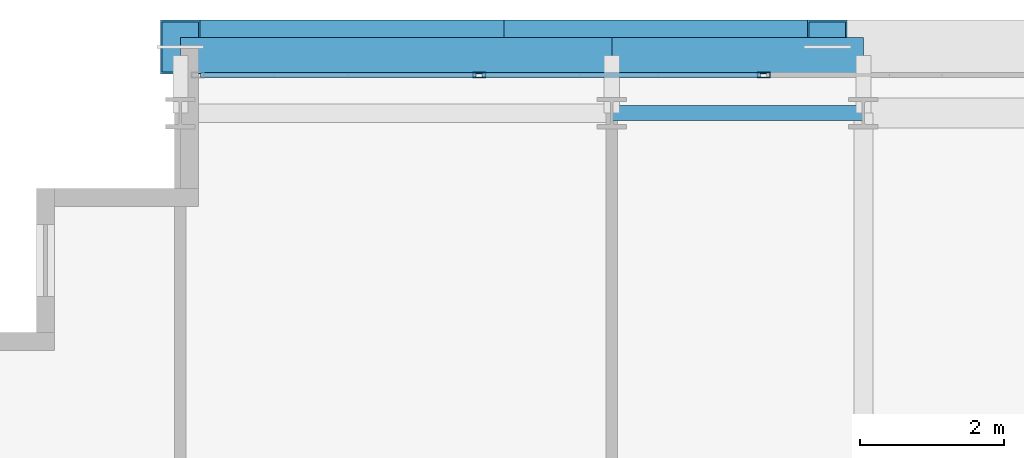
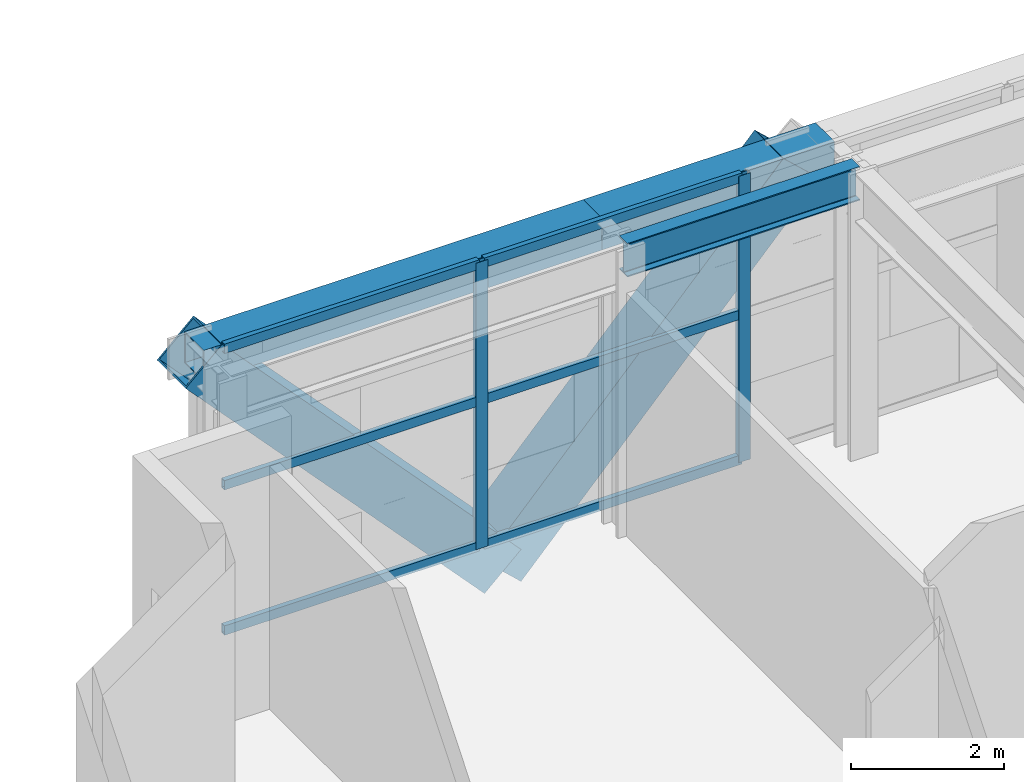
# One storey, part 19 of 38: 10 members, 3 beams, 1 element without a shape of its own.
"""IFC4 building model written with IfcOpenShell, lengths in metres."""

from ifc_helpers import new_model, si_unit, direction, frame, origin, origin_2d, place, context, subcontext, project, spatial, hollow_rectangle, i_section, extrude, source, transform, mapped, material, layer, layer_set, material_profile, profile_set, type_object, element, aggregate, save


model = new_model("IFC4")

# Units and contexts
model_context = context("Model", 3, precision=1e-05, world=origin(), true_north=direction((0.0, 1.0)))
body_context = subcontext(model_context, "Body", "Model", "MODEL_VIEW")
ifc_project = project(units=[si_unit("LENGTHUNIT", "METRE"), si_unit("AREAUNIT", "SQUARE_METRE"), si_unit("VOLUMEUNIT", "CUBIC_METRE"), si_unit("PLANEANGLEUNIT", "RADIAN"), si_unit("MASSUNIT", "GRAM", prefix="KILO")], contexts=[model_context])

# Site, building, storey
site_placement = place(None, origin())
site = spatial("IfcSite", under=ifc_project, at=site_placement, CompositionType="ELEMENT")
building_placement = place(site_placement, origin())
building = spatial("IfcBuilding", under=site, at=building_placement, Name="Ocotamira Hotel", CompositionType="ELEMENT")
storey_placement = place(building_placement, frame((0.0, 0.0, 92.39990234375)))
storey = spatial("IfcBuildingStorey", under=building, at=storey_placement, Name="L22", CompositionType="ELEMENT", Elevation=92.39990234375)

# Beams
ifc_material_1 = material(Name="Steel ASTM A992 Grade 50", Category="steel")
ifc_material_profile_1 = material_profile(ifc_material_1, i_section(OverallWidth=0.2099609375, OverallDepth=0.537109375, WebThickness=0.010986328125, FlangeThickness=0.017333984375, FilletRadius=0.012939453125, at=origin_2d()), Name="W21X68")
ifc_profile_set_1 = profile_set([ifc_material_profile_1], Name="Steel ASTM A992 Grade 50")
beam_type_1 = type_object("IfcBeamType", Name="BM-SEC-W21X68", PredefinedType="JOIST", material=ifc_profile_set_1)
shared_shape_1 = source(origin(), body_context, "Body", "SweptSolid", [
    extrude(i_section(OverallWidth=0.2099609375, OverallDepth=0.537109375, WebThickness=0.010986328125, FlangeThickness=0.017333984375, FilletRadius=0.012939453125, at=origin_2d()), origin(), (0.0, 0.0, 1.0), 3.5),
])
beam_1_placement = place(storey_placement, frame((20.0, 49.050048828125, 4.29150390625), z_axis=(1.0, 0.0, 0.0), x_axis=(0.0, 1.0, 0.0)))
element("IfcBeam", 1, at=beam_1_placement, inside=storey, type_object=beam_type_1, Name="L22 Girder Y49.05 X20-23.5", PredefinedType="JOIST", context=body_context, shape_type="MappedRepresentation", body=[
    mapped(shared_shape_1, transform((0.0, 0.0, 0.0), scale=1.0)),
])
ifc_material_2 = material(Name="Steel ASTM A500 Grade C", Category="steel")
ifc_material_profile_2 = material_profile(ifc_material_2, hollow_rectangle(XDim=0.5, YDim=0.5, WallThickness=0.02001953125, at=origin_2d()), Name="HSS500X500X20")
ifc_profile_set_2 = profile_set([ifc_material_profile_2], Name="Steel ASTM A500 Grade C")
beam_type_2 = type_object("IfcBeamType", Name="BM-SPAN-HSS500", PredefinedType="USERDEFINED", material=ifc_profile_set_2)
shared_shape_2 = source(origin(), body_context, "Body", "SweptSolid", [
    extrude(hollow_rectangle(XDim=0.5, YDim=0.5, WallThickness=0.02001953125, at=origin_2d()), origin(), (0.0, 0.0, 1.0), 6.0),
])
beam_2_placement = place(storey_placement, frame((14.0, 49.85009765625, 4.31005859375), z_axis=(1.0, 0.0, 0.0), x_axis=(0.0, 1.0, 0.0)))
element("IfcBeam", 2, at=beam_2_placement, inside=storey, type_object=beam_type_2, Name="L22 Edge Spandrel N X14-20", ObjectType="SPANDREL", PredefinedType="USERDEFINED", context=body_context, shape_type="MappedRepresentation", body=[
    mapped(shared_shape_2, transform((0.0, 0.0, 0.0), scale=1.0)),
])
shared_shape_3 = source(origin(), body_context, "Body", "SweptSolid", [
    extrude(hollow_rectangle(XDim=0.5, YDim=0.5, WallThickness=0.02001953125, at=origin_2d()), origin(), (0.0, 0.0, 1.0), 3.5),
])
beam_3_placement = place(storey_placement, frame((20.0, 49.85009765625, 4.31005859375), z_axis=(1.0, 0.0, 0.0), x_axis=(0.0, 1.0, 0.0)))
element("IfcBeam", 3, at=beam_3_placement, inside=storey, type_object=beam_type_2, Name="L22 Edge Spandrel N X20-23.5", ObjectType="SPANDREL", PredefinedType="USERDEFINED", context=body_context, shape_type="MappedRepresentation", body=[
    mapped(shared_shape_3, transform((0.0, 0.0, 0.0), scale=1.0)),
])

# Members
ifc_material_3 = material(Name="Pale-metal coated steel ASTM A913 Grade 65", Category="steel")
ifc_material_profile_3 = material_profile(ifc_material_3, hollow_rectangle(XDim=0.75, YDim=0.75, WallThickness=0.028076171875, at=origin_2d()), Name="BOX750X750X28")
ifc_profile_set_3 = profile_set([ifc_material_profile_3], Name="Pale-metal coated steel ASTM A913 Grade 65")
member_type_1 = type_object("IfcMemberType", Name="MEM-EXO-BOX750", PredefinedType="BRACE", material=ifc_profile_set_3)
shared_shape_4 = source(origin(), body_context, "Body", "SweptSolid", [
    extrude(hollow_rectangle(XDim=0.75, YDim=0.75, WallThickness=0.028076171875, at=origin_2d()), origin(), (0.0, 0.0, 1.0), 6.608642578125),
])
for number, where, z_axis, x_axis, name in (
    (4, (18.5, 49.969970703125, -0.52978515625), (-0.680927060572, 0.0, 0.732351239625), (0.0, -1.0, 0.0), "L22 Exoskeleton Diagrid N0.1"),
    (5, (18.5, 49.969970703125, -0.52978515625), (0.680927060572, 0.0, 0.732351239625), (0.0, 1.0, 0.0), "L22 Exoskeleton Diagrid N0.2"),
):
    element("IfcMember", number, at=place(storey_placement, frame(where, z_axis=z_axis, x_axis=x_axis)), inside=storey, type_object=member_type_1, Name=name, PredefinedType="BRACE", context=body_context, shape_type="MappedRepresentation", body=[
        mapped(shared_shape_4, transform((0.0, 0.0, 0.0), scale=1.0)),
    ])

# Curtain wall, members
ifc_material_4 = material(Name="Anodised pale-metal aluminium and solar glass", Category="aluminium")
ifc_layer = layer(ifc_material_4, 0.239990234375)
ifc_layer_set = layer_set([ifc_layer], Name="Anodised pale-metal aluminium and solar glass")
curtain_wall_type = type_object("IfcCurtainWallType", Name="CW-SYS5-SKY", PredefinedType="NOTDEFINED", material=ifc_layer_set)
curtain_wall_placement = place(storey_placement, origin())
curtain_wall = element("IfcCurtainWall", 6, at=curtain_wall_placement, inside=storey, type_object=curtain_wall_type, Name="L22 Curtain Wall CW-5 CW-L22-N", PredefinedType="NOTDEFINED")
ifc_material_5 = material(Name="Anodised pale-metal aluminium 6063-T6", Category="aluminium")
ifc_material_profile_4 = material_profile(ifc_material_5, hollow_rectangle(XDim=0.074951171875, YDim=0.14990234375, WallThickness=0.006103515625, at=origin_2d()), Name="HSS150X75X6")
ifc_profile_set_4 = profile_set([ifc_material_profile_4], Name="Anodised pale-metal aluminium 6063-T6")
member_type_2 = type_object("IfcMemberType", Name="CWT-150X75", PredefinedType="USERDEFINED", material=ifc_profile_set_4)
shared_shape_5 = source(origin(), body_context, "Body", "SweptSolid", [
    extrude(hollow_rectangle(XDim=0.074951171875, YDim=0.14990234375, WallThickness=0.006103515625, at=origin_2d()), origin(), (0.0, 0.0, 1.0), 3.83544921875),
])
member_1_placement = place(storey_placement, frame((14.280029296875, 49.580078125, 0.03759765625), z_axis=(1.0, 0.0, 0.0), x_axis=(0.0, 1.0, 0.0)))
member_1 = element("IfcMember", 7, at=member_1_placement, type_object=member_type_2, Name="CW-5 transom 1.1", ObjectType="TRANSOM", PredefinedType="USERDEFINED", context=body_context, shape_type="MappedRepresentation", body=[
    mapped(shared_shape_5, transform((0.0, 0.0, 0.0), scale=1.0)),
])
member_2_placement = place(storey_placement, frame((14.280029296875, 49.580078125, 2.35009765625), z_axis=(1.0, 0.0, 0.0), x_axis=(0.0, 1.0, 0.0)))
member_2 = element("IfcMember", 8, at=member_2_placement, type_object=member_type_2, Name="CW-5 transom 1.2", ObjectType="TRANSOM", PredefinedType="USERDEFINED", context=body_context, shape_type="MappedRepresentation", body=[
    mapped(shared_shape_5, transform((0.0, 0.0, 0.0), scale=1.0)),
])
member_3_placement = place(storey_placement, frame((14.280029296875, 49.580078125, 4.522705078125), z_axis=(1.0, 0.0, 0.0), x_axis=(0.0, 1.0, 0.0)))
member_3 = element("IfcMember", 9, at=member_3_placement, type_object=member_type_2, Name="CW-5 transom 1.3", ObjectType="TRANSOM", PredefinedType="USERDEFINED", context=body_context, shape_type="MappedRepresentation", body=[
    mapped(shared_shape_5, transform((0.0, 0.0, 0.0), scale=1.0)),
])
shared_shape_6 = source(origin(), body_context, "Body", "SweptSolid", [
    extrude(hollow_rectangle(XDim=0.074951171875, YDim=0.14990234375, WallThickness=0.006103515625, at=origin_2d()), origin(), (0.0, 0.0, 1.0), 3.87548828125),
])
member_4_placement = place(storey_placement, frame((18.195556640625, 49.580078125, 0.03759765625), z_axis=(1.0, 0.0, 0.0), x_axis=(0.0, 1.0, 0.0)))
member_4 = element("IfcMember", 10, at=member_4_placement, type_object=member_type_2, Name="CW-5 transom 2.1", ObjectType="TRANSOM", PredefinedType="USERDEFINED", context=body_context, shape_type="MappedRepresentation", body=[
    mapped(shared_shape_6, transform((0.0, 0.0, 0.0), scale=1.0)),
])
member_5_placement = place(storey_placement, frame((18.195556640625, 49.580078125, 2.35009765625), z_axis=(1.0, 0.0, 0.0), x_axis=(0.0, 1.0, 0.0)))
member_5 = element("IfcMember", 11, at=member_5_placement, type_object=member_type_2, Name="CW-5 transom 2.2", ObjectType="TRANSOM", PredefinedType="USERDEFINED", context=body_context, shape_type="MappedRepresentation", body=[
    mapped(shared_shape_6, transform((0.0, 0.0, 0.0), scale=1.0)),
])
member_6_placement = place(storey_placement, frame((18.195556640625, 49.580078125, 4.522705078125), z_axis=(1.0, 0.0, 0.0), x_axis=(0.0, 1.0, 0.0)))
member_6 = element("IfcMember", 12, at=member_6_placement, type_object=member_type_2, Name="CW-5 transom 2.3", ObjectType="TRANSOM", PredefinedType="USERDEFINED", context=body_context, shape_type="MappedRepresentation", body=[
    mapped(shared_shape_6, transform((0.0, 0.0, 0.0), scale=1.0)),
])
ifc_material_profile_5 = material_profile(ifc_material_5, hollow_rectangle(XDim=0.080078125, YDim=0.179931640625, WallThickness=0.006103515625, at=origin_2d()), Name="HSS180X80X6")
ifc_profile_set_5 = profile_set([ifc_material_profile_5], Name="Anodised pale-metal aluminium 6063-T6")
member_type_3 = type_object("IfcMemberType", Name="CWM-180X75", PredefinedType="MULLION", material=ifc_profile_set_5)
shared_shape_7 = source(origin(), body_context, "Body", "SweptSolid", [
    extrude(hollow_rectangle(XDim=0.080078125, YDim=0.179931640625, WallThickness=0.006103515625, at=origin_2d()), origin(), (0.0, 0.0, 1.0), 4.56005859375),
])
member_7_placement = place(storey_placement, frame((18.155517578125, 49.580078125, 0.0), z_axis=(0.0, 0.0, 1.0), x_axis=(0.0, 1.0, 0.0)))
member_7 = element("IfcMember", 13, at=member_7_placement, type_object=member_type_3, Name="CW-5 mullion 2", PredefinedType="MULLION", context=body_context, shape_type="MappedRepresentation", body=[
    mapped(shared_shape_7, transform((0.0, 0.0, 0.0), scale=1.0)),
])
member_8_placement = place(storey_placement, frame((22.111083984375, 49.580078125, 0.0), z_axis=(0.0, 0.0, 1.0), x_axis=(0.0, 1.0, 0.0)))
member_8 = element("IfcMember", 14, at=member_8_placement, type_object=member_type_3, Name="CW-5 mullion 3", PredefinedType="MULLION", context=body_context, shape_type="MappedRepresentation", body=[
    mapped(shared_shape_7, transform((0.0, 0.0, 0.0), scale=1.0)),
])
aggregate(curtain_wall, [member_7, member_8, member_1, member_2, member_3, member_4, member_5, member_6])

save(model, "model.ifc")
